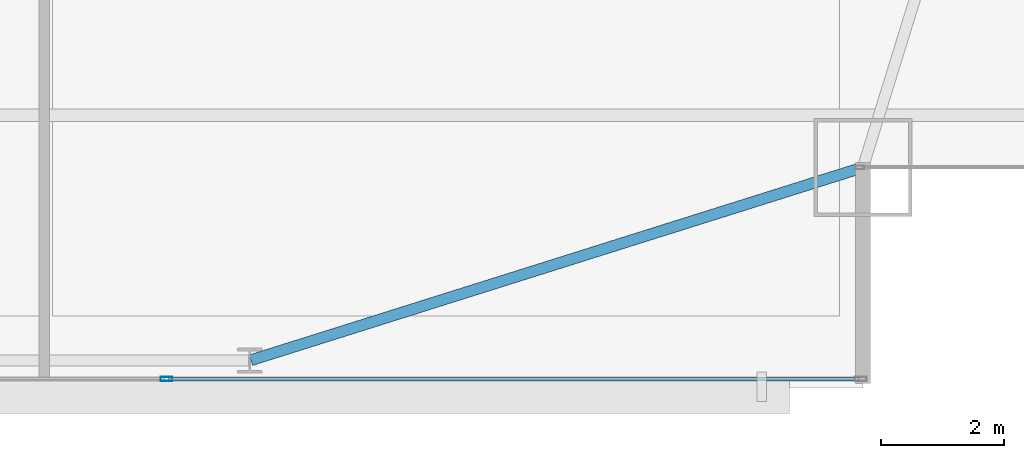
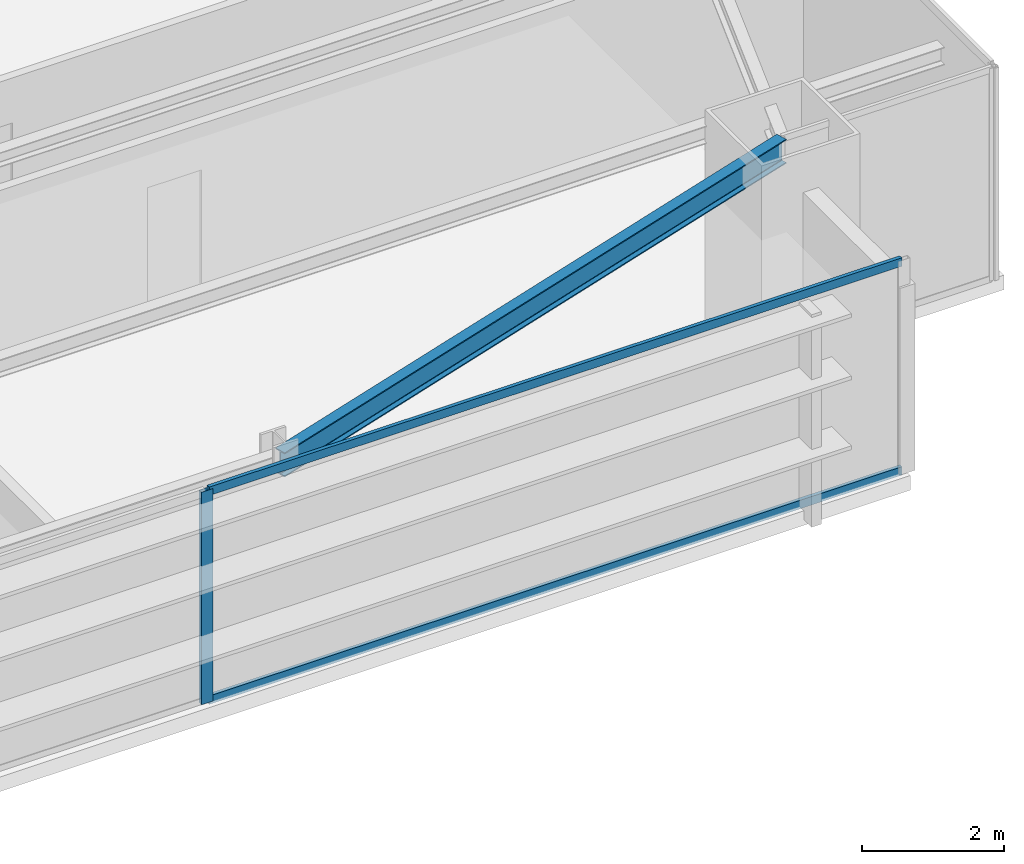
# One storey, part 14 of 32: 3 members, 1 beam, 1 element without a shape of its own.
"""IFC4 building model written with IfcOpenShell, lengths in metres."""

from ifc_helpers import new_model, si_unit, direction, frame, origin, origin_2d, place, context, subcontext, project, spatial, hollow_rectangle, i_section, extrude, source, transform, mapped, material, layer, layer_set, material_profile, profile_set, type_object, type_shapes, element, aggregate, save


model = new_model("IFC4")

# Units and contexts
model_context = context("Model", 3, precision=1e-05, world=origin(), true_north=direction((0.0, 1.0)))
body_context = subcontext(model_context, "Body", "Model", "MODEL_VIEW")
ifc_project = project(units=[si_unit("LENGTHUNIT", "METRE"), si_unit("AREAUNIT", "SQUARE_METRE"), si_unit("VOLUMEUNIT", "CUBIC_METRE"), si_unit("PLANEANGLEUNIT", "RADIAN"), si_unit("MASSUNIT", "GRAM", prefix="KILO")], contexts=[model_context])

# Site, building, storey
site_placement = place(None, origin())
site = spatial("IfcSite", under=ifc_project, at=site_placement, CompositionType="ELEMENT")
building_placement = place(site_placement, origin())
building = spatial("IfcBuilding", under=site, at=building_placement, Name="Varnel Quay Broadcast Tower", CompositionType="ELEMENT")
storey_placement = place(building_placement, frame((0.0, 0.0, 54.89990234375)))
storey = spatial("IfcBuildingStorey", under=building, at=storey_placement, Name="L12", CompositionType="ELEMENT", Elevation=54.89990234375)

# Beam
ifc_material_1 = material(Name="Structural Steel CSA G40.21 350W", Category="steel")
ifc_material_profile_1 = material_profile(ifc_material_1, i_section(OverallWidth=0.180908203125, OverallDepth=0.4169921875, WebThickness=0.010986328125, FlangeThickness=0.018310546875, FilletRadius=0.011962890625, at=origin_2d()), Name="W410X85")
ifc_profile_set_1 = profile_set([ifc_material_profile_1], Name="Structural Steel CSA G40.21 350W")
beam_type = type_object("IfcBeamType", Name="Beam_W410X85", PredefinedType="SPANDREL", material=ifc_profile_set_1)
shared_shape_1 = source(origin(), body_context, "Body", "SweptSolid", [
    extrude(i_section(OverallWidth=0.180908203125, OverallDepth=0.4169921875, WebThickness=0.010986328125, FlangeThickness=0.018310546875, FilletRadius=0.011962890625, at=origin_2d()), origin(), (0.0, 0.0, 1.0), 10.444091796875),
])
type_shapes(beam_type, [shared_shape_1])
beam_placement = place(storey_placement, frame((52.419189453125, 1.656005859375, 3.441650390625), z_axis=(0.953798277271, 0.300447743003, 0.0), x_axis=(-0.300447743003, 0.953798277271, 0.0)))
element("IfcBeam", 1, at=beam_placement, inside=storey, type_object=beam_type, Name="L12 South Spandrel TC-S5-MC-SE", PredefinedType="SPANDREL", context=body_context, shape_type="MappedRepresentation", body=[
    mapped(shared_shape_1, transform((0.0, 0.0, 0.0), x_axis=(1.0, 0.0, 0.0), y_axis=(0.0, 1.0, 0.0), z_axis=(0.0, 0.0, 1.0), scale=1.0)),
])

# Curtain wall, members
ifc_material_2 = material(Name="Anodised Bronze Aluminium 6063-T6", Category="aluminium")
ifc_layer = layer(ifc_material_2, 0.18994140625, Name="Anodised Bronze Aluminium 6063-T6")
ifc_layer_set = layer_set([ifc_layer], Name="Anodised Bronze Aluminium 6063-T6")
curtain_wall_type = type_object("IfcCurtainWallType", Name="CW_LowerTower", PredefinedType="NOTDEFINED", material=ifc_layer_set)
curtain_wall_placement = place(storey_placement, origin())
curtain_wall = element("IfcCurtainWall", 2, at=curtain_wall_placement, inside=storey, type_object=curtain_wall_type, Name="L12 South Unitised Curtain Wall 1", PredefinedType="NOTDEFINED")
ifc_material_profile_2 = material_profile(ifc_material_2, hollow_rectangle(XDim=0.06005859375, YDim=0.14501953125, WallThickness=0.00341796875, at=origin_2d()), Name="ALU60X145X3.5")
ifc_profile_set_2 = profile_set([ifc_material_profile_2], Name="Anodised Bronze Aluminium 6063-T6")
member_type_1 = type_object("IfcMemberType", Name="Tran_CWS-02", PredefinedType="USERDEFINED", material=ifc_profile_set_2)
shared_shape_2 = source(origin(), body_context, "Body", "SweptSolid", [
    extrude(hollow_rectangle(XDim=0.06005859375, YDim=0.14501953125, WallThickness=0.00341796875, at=origin_2d()), origin(), (0.0, 0.0, 1.0), 11.255126953125),
])
type_shapes(member_type_1, [shared_shape_2])
member_1_placement = place(storey_placement, frame((51.074951171875, 1.35009765625, 0.030029296875), z_axis=(1.0, 0.0, 0.0), x_axis=(0.0, 1.0, 0.0)))
member_1 = element("IfcMember", 3, at=member_1_placement, type_object=member_type_1, Name="CWS-02 transom 5.1", ObjectType="TRANSOM", PredefinedType="USERDEFINED", context=body_context, shape_type="MappedRepresentation", body=[
    mapped(shared_shape_2, transform((0.0, 0.0, 0.0), x_axis=(1.0, 0.0, 0.0), y_axis=(0.0, 1.0, 0.0), z_axis=(0.0, 0.0, 1.0), scale=1.0)),
])
member_2_placement = place(storey_placement, frame((51.074951171875, 1.35009765625, 3.6201171875), z_axis=(1.0, 0.0, 0.0), x_axis=(0.0, 1.0, 0.0)))
member_2 = element("IfcMember", 4, at=member_2_placement, type_object=member_type_1, Name="CWS-02 transom 5.2", ObjectType="TRANSOM", PredefinedType="USERDEFINED", context=body_context, shape_type="MappedRepresentation", body=[
    mapped(shared_shape_2, transform((0.0, 0.0, 0.0), x_axis=(1.0, 0.0, 0.0), y_axis=(0.0, 1.0, 0.0), z_axis=(0.0, 0.0, 1.0), scale=1.0)),
])
ifc_material_profile_3 = material_profile(ifc_material_2, hollow_rectangle(XDim=0.070068359375, YDim=0.18994140625, WallThickness=0.00390625, at=origin_2d()), Name="ALU70X190X4")
ifc_profile_set_3 = profile_set([ifc_material_profile_3], Name="Anodised Bronze Aluminium 6063-T6")
member_type_2 = type_object("IfcMemberType", Name="Mull_CWS-02", PredefinedType="MULLION", material=ifc_profile_set_3)
shared_shape_3 = source(origin(), body_context, "Body", "SweptSolid", [
    extrude(hollow_rectangle(XDim=0.070068359375, YDim=0.18994140625, WallThickness=0.00390625, at=origin_2d()), origin(), (0.0, 0.0, 1.0), 3.650146484375),
])
type_shapes(member_type_2, [shared_shape_3])
member_3_placement = place(storey_placement, frame((51.0400390625, 1.35009765625, 0.0), z_axis=(0.0, 0.0, 1.0), x_axis=(0.0, 1.0, 0.0)))
member_3 = element("IfcMember", 5, at=member_3_placement, type_object=member_type_2, Name="CWS-02 mullion 5", PredefinedType="MULLION", context=body_context, shape_type="MappedRepresentation", body=[
    mapped(shared_shape_3, transform((0.0, 0.0, 0.0), x_axis=(1.0, 0.0, 0.0), y_axis=(0.0, 1.0, 0.0), z_axis=(0.0, 0.0, 1.0), scale=1.0)),
])
aggregate(curtain_wall, [member_3, member_1, member_2])

save(model, "model.ifc")
